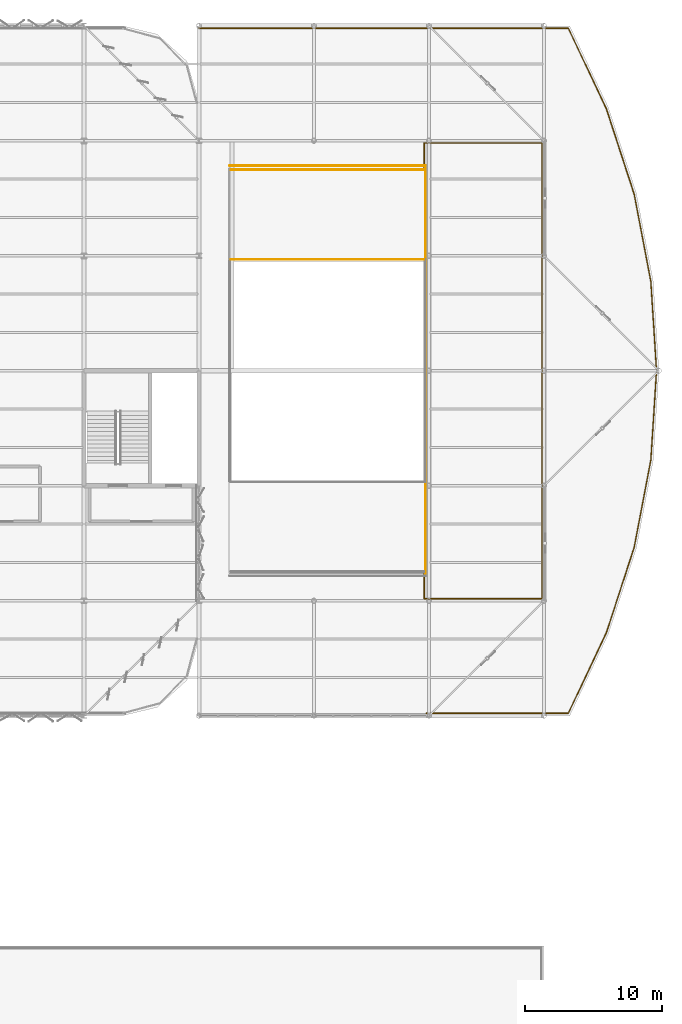
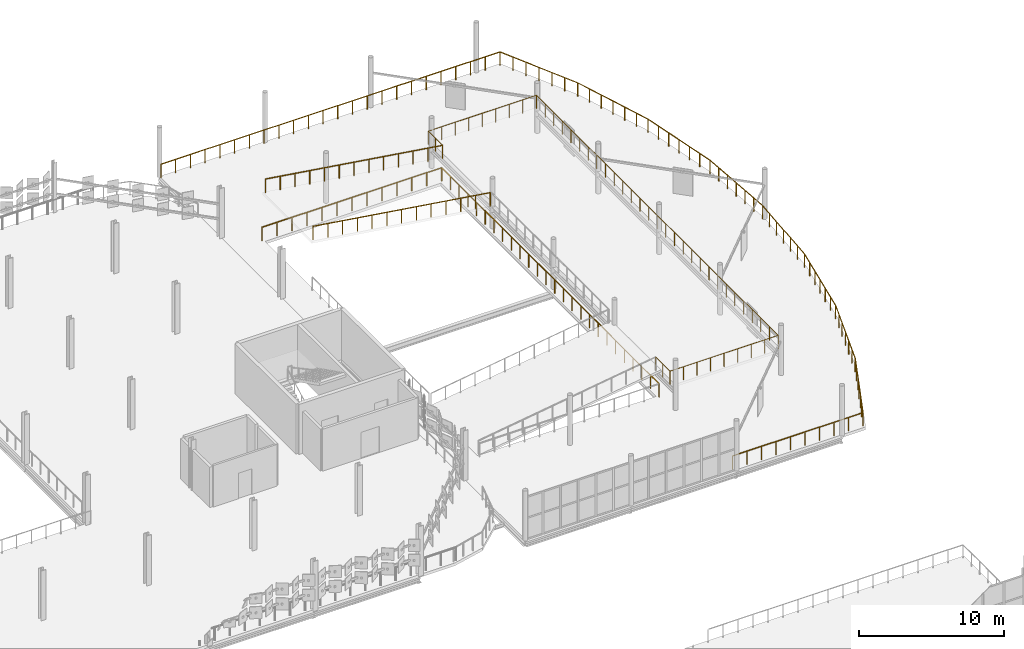
# One storey, part 183 of 184: 6 railings.
"""IFC4 building model written with IfcOpenShell, lengths in metres."""

from ifc_helpers import new_model, si_unit, direction, frame, origin, origin_2d, place, context, subcontext, project, spatial, circle, extrude, material, type_object, element, save


model = new_model("IFC4")

# Units and contexts
model_context = context("Model", 3, precision=1e-05, world=origin(), true_north=direction((0.0, 1.0)))
body_context = subcontext(model_context, "Body", "Model", "MODEL_VIEW")
ifc_project = project(units=[si_unit("LENGTHUNIT", "METRE"), si_unit("AREAUNIT", "SQUARE_METRE"), si_unit("VOLUMEUNIT", "CUBIC_METRE"), si_unit("PLANEANGLEUNIT", "RADIAN"), si_unit("MASSUNIT", "GRAM", prefix="KILO")], contexts=[model_context])

# Site, building, storey
site_placement = place(None, origin())
site = spatial("IfcSite", under=ifc_project, at=site_placement, CompositionType="ELEMENT")
building_placement = place(site_placement, origin())
building = spatial("IfcBuilding", under=site, at=building_placement, Name="Qalvenar Corner Mobility Hub", CompositionType="ELEMENT")
storey_placement = place(building_placement, frame((0.0, 0.0, 9.0)))
storey = spatial("IfcBuildingStorey", under=building, at=storey_placement, Name="L02", CompositionType="ELEMENT", Elevation=9.0)

# Railings
ifc_material = material(Name="Galvanised Steel Deck Edge Barrier", Category="steel")
railing_type = type_object("IfcRailingType", Name="RL-GUARD-115", PredefinedType="GUARDRAIL", material=ifc_material)
railing_1_placement = place(storey_placement, frame((159.25, 100.52001953125, 2.10009765625)))
element("IfcRailing", 1, at=railing_1_placement, inside=storey, type_object=railing_type, Name="Ramp Guardrail L02-L03-GR2", PredefinedType="GUARDRAIL", context=body_context, shape_type="SweptSolid", body=[
    extrude(circle(Radius=0.02392578125, at=origin_2d()), frame((0.0, 0.0, 1.1259765625), z_axis=(-0.98909182367, 0.0, 0.14730025237), x_axis=(0.0, -1.0, 0.0)), (0.0, 0.0, 1.0), 14.255615234375),
    extrude(circle(Radius=0.02099609375, at=origin_2d()), origin(), (0.0, 0.0, 1.0), 1.101806640625),
    extrude(circle(Radius=0.02099609375, at=origin_2d()), frame((-1.175048828125, 0.0, 0.175048828125)), (0.0, 0.0, 1.0), 1.101806640625),
    extrude(circle(Radius=0.02099609375, at=origin_2d()), frame((-2.35009765625, 0.0, 0.35009765625)), (0.0, 0.0, 1.0), 1.101806640625),
    extrude(circle(Radius=0.02099609375, at=origin_2d()), frame((-3.52490234375, 0.0, 0.52490234375)), (0.0, 0.0, 1.0), 1.101806640625),
    extrude(circle(Radius=0.02099609375, at=origin_2d()), frame((-4.699951171875, 0.0, 0.699951171875)), (0.0, 0.0, 1.0), 1.101806640625),
    extrude(circle(Radius=0.02099609375, at=origin_2d()), frame((-5.875, 0.0, 0.875)), (0.0, 0.0, 1.0), 1.101806640625),
    extrude(circle(Radius=0.02099609375, at=origin_2d()), frame((-7.050048828125, 0.0, 1.0498046875)), (0.0, 0.0, 1.0), 1.101806640625),
    extrude(circle(Radius=0.02099609375, at=origin_2d()), frame((-8.22509765625, 0.0, 1.224853515625)), (0.0, 0.0, 1.0), 1.101806640625),
    extrude(circle(Radius=0.02099609375, at=origin_2d()), frame((-9.400146484375, 0.0, 1.39990234375)), (0.0, 0.0, 1.0), 1.101806640625),
    extrude(circle(Radius=0.02099609375, at=origin_2d()), frame((-10.5751953125, 0.0, 1.574951171875)), (0.0, 0.0, 1.0), 1.101806640625),
    extrude(circle(Radius=0.02099609375, at=origin_2d()), frame((-11.75, 0.0, 1.75)), (0.0, 0.0, 1.0), 1.101806640625),
    extrude(circle(Radius=0.02099609375, at=origin_2d()), frame((-12.925048828125, 0.0, 1.9248046875)), (0.0, 0.0, 1.0), 1.101806640625),
    extrude(circle(Radius=0.02099609375, at=origin_2d()), frame((-14.10009765625, 0.0, 2.099853515625)), (0.0, 0.0, 1.0), 1.101806640625),
])
railing_2_placement = place(storey_placement, frame((159.25, 107.080078125, 2.10009765625)))
element("IfcRailing", 2, at=railing_2_placement, inside=storey, type_object=railing_type, Name="Ramp Guardrail L02-L03-GR4", PredefinedType="GUARDRAIL", context=body_context, shape_type="SweptSolid", body=[
    extrude(circle(Radius=0.02392578125, at=origin_2d()), frame((0.0, 0.0, 1.1259765625), z_axis=(-0.98909182367, 0.0, 0.14730025237), x_axis=(0.0, -1.0, 0.0)), (0.0, 0.0, 1.0), 14.255615234375),
    extrude(circle(Radius=0.02099609375, at=origin_2d()), origin(), (0.0, 0.0, 1.0), 1.101806640625),
    extrude(circle(Radius=0.02099609375, at=origin_2d()), frame((-1.175048828125, 0.0, 0.175048828125)), (0.0, 0.0, 1.0), 1.101806640625),
    extrude(circle(Radius=0.02099609375, at=origin_2d()), frame((-2.35009765625, 0.0, 0.35009765625)), (0.0, 0.0, 1.0), 1.101806640625),
    extrude(circle(Radius=0.02099609375, at=origin_2d()), frame((-3.52490234375, 0.0, 0.52490234375)), (0.0, 0.0, 1.0), 1.101806640625),
    extrude(circle(Radius=0.02099609375, at=origin_2d()), frame((-4.699951171875, 0.0, 0.699951171875)), (0.0, 0.0, 1.0), 1.101806640625),
    extrude(circle(Radius=0.02099609375, at=origin_2d()), frame((-5.875, 0.0, 0.875)), (0.0, 0.0, 1.0), 1.101806640625),
    extrude(circle(Radius=0.02099609375, at=origin_2d()), frame((-7.050048828125, 0.0, 1.0498046875)), (0.0, 0.0, 1.0), 1.101806640625),
    extrude(circle(Radius=0.02099609375, at=origin_2d()), frame((-8.22509765625, 0.0, 1.224853515625)), (0.0, 0.0, 1.0), 1.101806640625),
    extrude(circle(Radius=0.02099609375, at=origin_2d()), frame((-9.400146484375, 0.0, 1.39990234375)), (0.0, 0.0, 1.0), 1.101806640625),
    extrude(circle(Radius=0.02099609375, at=origin_2d()), frame((-10.5751953125, 0.0, 1.574951171875)), (0.0, 0.0, 1.0), 1.101806640625),
    extrude(circle(Radius=0.02099609375, at=origin_2d()), frame((-11.75, 0.0, 1.75)), (0.0, 0.0, 1.0), 1.101806640625),
    extrude(circle(Radius=0.02099609375, at=origin_2d()), frame((-12.925048828125, 0.0, 1.9248046875)), (0.0, 0.0, 1.0), 1.101806640625),
    extrude(circle(Radius=0.02099609375, at=origin_2d()), frame((-14.10009765625, 0.0, 2.099853515625)), (0.0, 0.0, 1.0), 1.101806640625),
])
railing_3_placement = place(storey_placement, frame((159.25, 77.719970703125, 2.10009765625)))
element("IfcRailing", 3, at=railing_3_placement, inside=storey, type_object=railing_type, Name="Ramp Guardrail L02-L03-GRL-OUT", PredefinedType="GUARDRAIL", context=body_context, shape_type="SweptSolid", body=[
    extrude(circle(Radius=0.02392578125, at=origin_2d()), frame((0.0, 0.0, 1.1259765625), z_axis=(0.0, -1.0, 0.0), x_axis=(1.0, 0.0, 0.0)), (0.0, 0.0, 1.0), 1.969970703125),
    extrude(circle(Radius=0.02392578125, at=origin_2d()), frame((0.0, -1.969970703125, 1.1259765625), z_axis=(1.0, 0.0, 0.0), x_axis=(0.0, 1.0, 0.0)), (0.0, 0.0, 1.0), 8.60009765625),
    extrude(circle(Radius=0.02392578125, at=origin_2d()), frame((8.60009765625, -1.969970703125, 1.1259765625), z_axis=(0.0, 1.0, 0.0), x_axis=(-1.0, 0.0, 0.0)), (0.0, 0.0, 1.0), 33.300048828125),
    extrude(circle(Radius=0.02392578125, at=origin_2d()), frame((8.60009765625, 31.330078125, 1.1259765625), z_axis=(-1.0, 0.0, 0.0), x_axis=(0.0, -1.0, 0.0)), (0.0, 0.0, 1.0), 8.60009765625),
    extrude(circle(Radius=0.02392578125, at=origin_2d()), frame((0.0, 31.330078125, 1.1259765625), z_axis=(0.0, -1.0, 0.0), x_axis=(1.0, 0.0, 0.0)), (0.0, 0.0, 1.0), 1.969970703125),
    extrude(circle(Radius=0.02099609375, at=origin_2d()), origin(), (0.0, 0.0, 1.0), 1.101806640625),
    extrude(circle(Radius=0.02099609375, at=origin_2d()), frame((0.0, -0.98486328125, 0.0)), (0.0, 0.0, 1.0), 1.101806640625),
    extrude(circle(Radius=0.02099609375, at=origin_2d()), frame((0.0, -1.969970703125, 0.0)), (0.0, 0.0, 1.0), 1.101806640625),
    extrude(circle(Radius=0.02099609375, at=origin_2d()), frame((1.074951171875, -1.969970703125, 0.0)), (0.0, 0.0, 1.0), 1.101806640625),
    extrude(circle(Radius=0.02099609375, at=origin_2d()), frame((2.14990234375, -1.969970703125, 0.0)), (0.0, 0.0, 1.0), 1.101806640625),
    extrude(circle(Radius=0.02099609375, at=origin_2d()), frame((3.22509765625, -1.969970703125, 0.0)), (0.0, 0.0, 1.0), 1.101806640625),
    extrude(circle(Radius=0.02099609375, at=origin_2d()), frame((4.300048828125, -1.969970703125, 0.0)), (0.0, 0.0, 1.0), 1.101806640625),
    extrude(circle(Radius=0.02099609375, at=origin_2d()), frame((5.375, -1.969970703125, 0.0)), (0.0, 0.0, 1.0), 1.101806640625),
    extrude(circle(Radius=0.02099609375, at=origin_2d()), frame((6.4501953125, -1.969970703125, 0.0)), (0.0, 0.0, 1.0), 1.101806640625),
    extrude(circle(Radius=0.02099609375, at=origin_2d()), frame((7.525146484375, -1.969970703125, 0.0)), (0.0, 0.0, 1.0), 1.101806640625),
    extrude(circle(Radius=0.02099609375, at=origin_2d()), frame((8.60009765625, -1.969970703125, 0.0)), (0.0, 0.0, 1.0), 1.101806640625),
    extrude(circle(Radius=0.02099609375, at=origin_2d()), frame((8.60009765625, -0.78076171875, 0.0)), (0.0, 0.0, 1.0), 1.101806640625),
    extrude(circle(Radius=0.02099609375, at=origin_2d()), frame((8.60009765625, 0.40869140625, 0.0)), (0.0, 0.0, 1.0), 1.101806640625),
    extrude(circle(Radius=0.02099609375, at=origin_2d()), frame((8.60009765625, 1.597900390625, 0.0)), (0.0, 0.0, 1.0), 1.101806640625),
    extrude(circle(Radius=0.02099609375, at=origin_2d()), frame((8.60009765625, 2.787109375, 0.0)), (0.0, 0.0, 1.0), 1.101806640625),
    extrude(circle(Radius=0.02099609375, at=origin_2d()), frame((8.60009765625, 3.9765625, 0.0)), (0.0, 0.0, 1.0), 1.101806640625),
    extrude(circle(Radius=0.02099609375, at=origin_2d()), frame((8.60009765625, 5.165771484375, 0.0)), (0.0, 0.0, 1.0), 1.101806640625),
    extrude(circle(Radius=0.02099609375, at=origin_2d()), frame((8.60009765625, 6.35498046875, 0.0)), (0.0, 0.0, 1.0), 1.101806640625),
    extrude(circle(Radius=0.02099609375, at=origin_2d()), frame((8.60009765625, 7.54443359375, 0.0)), (0.0, 0.0, 1.0), 1.101806640625),
    extrude(circle(Radius=0.02099609375, at=origin_2d()), frame((8.60009765625, 8.733642578125, 0.0)), (0.0, 0.0, 1.0), 1.101806640625),
    extrude(circle(Radius=0.02099609375, at=origin_2d()), frame((8.60009765625, 9.9228515625, 0.0)), (0.0, 0.0, 1.0), 1.101806640625),
    extrude(circle(Radius=0.02099609375, at=origin_2d()), frame((8.60009765625, 11.1123046875, 0.0)), (0.0, 0.0, 1.0), 1.101806640625),
    extrude(circle(Radius=0.02099609375, at=origin_2d()), frame((8.60009765625, 12.301513671875, 0.0)), (0.0, 0.0, 1.0), 1.101806640625),
    extrude(circle(Radius=0.02099609375, at=origin_2d()), frame((8.60009765625, 13.49072265625, 0.0)), (0.0, 0.0, 1.0), 1.101806640625),
    extrude(circle(Radius=0.02099609375, at=origin_2d()), frame((8.60009765625, 14.68017578125, 0.0)), (0.0, 0.0, 1.0), 1.101806640625),
    extrude(circle(Radius=0.02099609375, at=origin_2d()), frame((8.60009765625, 15.869384765625, 0.0)), (0.0, 0.0, 1.0), 1.101806640625),
    extrude(circle(Radius=0.02099609375, at=origin_2d()), frame((8.60009765625, 17.05859375, 0.0)), (0.0, 0.0, 1.0), 1.101806640625),
    extrude(circle(Radius=0.02099609375, at=origin_2d()), frame((8.60009765625, 18.247802734375, 0.0)), (0.0, 0.0, 1.0), 1.101806640625),
    extrude(circle(Radius=0.02099609375, at=origin_2d()), frame((8.60009765625, 19.437255859375, 0.0)), (0.0, 0.0, 1.0), 1.101806640625),
    extrude(circle(Radius=0.02099609375, at=origin_2d()), frame((8.60009765625, 20.62646484375, 0.0)), (0.0, 0.0, 1.0), 1.101806640625),
    extrude(circle(Radius=0.02099609375, at=origin_2d()), frame((8.60009765625, 21.815673828125, 0.0)), (0.0, 0.0, 1.0), 1.101806640625),
    extrude(circle(Radius=0.02099609375, at=origin_2d()), frame((8.60009765625, 23.005126953125, 0.0)), (0.0, 0.0, 1.0), 1.101806640625),
    extrude(circle(Radius=0.02099609375, at=origin_2d()), frame((8.60009765625, 24.1943359375, 0.0)), (0.0, 0.0, 1.0), 1.101806640625),
    extrude(circle(Radius=0.02099609375, at=origin_2d()), frame((8.60009765625, 25.383544921875, 0.0)), (0.0, 0.0, 1.0), 1.101806640625),
    extrude(circle(Radius=0.02099609375, at=origin_2d()), frame((8.60009765625, 26.572998046875, 0.0)), (0.0, 0.0, 1.0), 1.101806640625),
    extrude(circle(Radius=0.02099609375, at=origin_2d()), frame((8.60009765625, 27.76220703125, 0.0)), (0.0, 0.0, 1.0), 1.101806640625),
    extrude(circle(Radius=0.02099609375, at=origin_2d()), frame((8.60009765625, 28.951416015625, 0.0)), (0.0, 0.0, 1.0), 1.101806640625),
    extrude(circle(Radius=0.02099609375, at=origin_2d()), frame((8.60009765625, 30.140869140625, 0.0)), (0.0, 0.0, 1.0), 1.101806640625),
    extrude(circle(Radius=0.02099609375, at=origin_2d()), frame((8.60009765625, 31.330078125, 0.0)), (0.0, 0.0, 1.0), 1.101806640625),
    extrude(circle(Radius=0.02099609375, at=origin_2d()), frame((7.525146484375, 31.330078125, 0.0)), (0.0, 0.0, 1.0), 1.101806640625),
    extrude(circle(Radius=0.02099609375, at=origin_2d()), frame((6.4501953125, 31.330078125, 0.0)), (0.0, 0.0, 1.0), 1.101806640625),
    extrude(circle(Radius=0.02099609375, at=origin_2d()), frame((5.375, 31.330078125, 0.0)), (0.0, 0.0, 1.0), 1.101806640625),
    extrude(circle(Radius=0.02099609375, at=origin_2d()), frame((4.300048828125, 31.330078125, 0.0)), (0.0, 0.0, 1.0), 1.101806640625),
    extrude(circle(Radius=0.02099609375, at=origin_2d()), frame((3.22509765625, 31.330078125, 0.0)), (0.0, 0.0, 1.0), 1.101806640625),
    extrude(circle(Radius=0.02099609375, at=origin_2d()), frame((2.14990234375, 31.330078125, 0.0)), (0.0, 0.0, 1.0), 1.101806640625),
    extrude(circle(Radius=0.02099609375, at=origin_2d()), frame((1.074951171875, 31.330078125, 0.0)), (0.0, 0.0, 1.0), 1.101806640625),
    extrude(circle(Radius=0.02099609375, at=origin_2d()), frame((0.0, 31.330078125, 0.0)), (0.0, 0.0, 1.0), 1.101806640625),
    extrude(circle(Radius=0.02099609375, at=origin_2d()), frame((0.0, 30.34521484375, 0.0)), (0.0, 0.0, 1.0), 1.101806640625),
    extrude(circle(Radius=0.02099609375, at=origin_2d()), frame((0.0, 29.360107421875, 0.0)), (0.0, 0.0, 1.0), 1.101806640625),
])
railing_4_placement = place(storey_placement, frame((159.39990234375, 67.3798828125, 0.0)))
element("IfcRailing", 4, at=railing_4_placement, inside=storey, type_object=railing_type, Name="Rotunda Drum Perimeter Barrier L02", PredefinedType="GUARDRAIL", context=body_context, shape_type="SweptSolid", body=[
    extrude(circle(Radius=0.02392578125, at=origin_2d()), frame((0.0, 0.0, 1.1259765625), z_axis=(1.0, 0.0, 0.0), x_axis=(0.0, 1.0, 0.0)), (0.0, 0.0, 1.0), 10.379638671875),
    extrude(circle(Radius=0.02392578125, at=origin_2d()), frame((10.379638671875, 0.0, 1.1259765625), z_axis=(0.426753831434, 0.904367827466, 0.0), x_axis=(-0.904367827466, 0.426753831434, 0.0)), (0.0, 0.0, 1.0), 6.5234375),
    extrude(circle(Radius=0.02392578125, at=origin_2d()), frame((13.16357421875, 5.899658203125, 1.1259765625), z_axis=(0.309730839995, 0.950824277538, 0.0), x_axis=(-0.950824277538, 0.309730839995, 0.0)), (0.0, 0.0, 1.0), 6.5234375),
    extrude(circle(Radius=0.02392578125, at=origin_2d()), frame((15.18408203125, 12.102294921875, 1.1259765625), z_axis=(0.187839523494, 0.982199731935, 0.0), x_axis=(-0.982199731935, 0.187839523494, 0.0)), (0.0, 0.0, 1.0), 6.5234375),
    extrude(circle(Radius=0.02392578125, at=origin_2d()), frame((16.409423828125, 18.509521484375, 1.1259765625), z_axis=(0.062949118857, 0.998016737553, 0.0), x_axis=(-0.998016737553, 0.062949118857, 0.0)), (0.0, 0.0, 1.0), 6.5234375),
    extrude(circle(Radius=0.02392578125, at=origin_2d()), frame((16.820068359375, 25.02001953125, 1.1259765625), z_axis=(-0.062949118857, 0.998016737553, 0.0), x_axis=(-0.998016737553, -0.062949118857, 0.0)), (0.0, 0.0, 1.0), 6.5234375),
    extrude(circle(Radius=0.02392578125, at=origin_2d()), frame((16.409423828125, 31.530517578125, 1.1259765625), z_axis=(-0.187832618856, 0.982201052379, 0.0), x_axis=(-0.982201052379, -0.187832618856, 0.0)), (0.0, 0.0, 1.0), 6.523681640625),
    extrude(circle(Radius=0.02392578125, at=origin_2d()), frame((15.18408203125, 37.93798828125, 1.1259765625), z_axis=(-0.309730839995, 0.950824277538, 0.0), x_axis=(-0.950824277538, -0.309730839995, 0.0)), (0.0, 0.0, 1.0), 6.5234375),
    extrude(circle(Radius=0.02392578125, at=origin_2d()), frame((13.16357421875, 44.140625, 1.1259765625), z_axis=(-0.426768275647, 0.904361011378, 0.0), x_axis=(-0.904361011378, -0.426768275647, 0.0)), (0.0, 0.0, 1.0), 6.523193359375),
    extrude(circle(Radius=0.02392578125, at=origin_2d()), frame((10.379638671875, 50.0400390625, 1.1259765625), z_axis=(-1.0, 0.0, 0.0), x_axis=(0.0, -1.0, 0.0)), (0.0, 0.0, 1.0), 26.9794921875),
    extrude(circle(Radius=0.02099609375, at=origin_2d()), origin(), (0.0, 0.0, 1.0), 1.101806640625),
    extrude(circle(Radius=0.02099609375, at=origin_2d()), frame((1.1533203125, 0.0, 0.0)), (0.0, 0.0, 1.0), 1.101806640625),
    extrude(circle(Radius=0.02099609375, at=origin_2d()), frame((2.306640625, 0.0, 0.0)), (0.0, 0.0, 1.0), 1.101806640625),
    extrude(circle(Radius=0.02099609375, at=origin_2d()), frame((3.4599609375, 0.0, 0.0)), (0.0, 0.0, 1.0), 1.101806640625),
    extrude(circle(Radius=0.02099609375, at=origin_2d()), frame((4.61328125, 0.0, 0.0)), (0.0, 0.0, 1.0), 1.101806640625),
    extrude(circle(Radius=0.02099609375, at=origin_2d()), frame((5.766357421875, 0.0, 0.0)), (0.0, 0.0, 1.0), 1.101806640625),
    extrude(circle(Radius=0.02099609375, at=origin_2d()), frame((6.919677734375, 0.0, 0.0)), (0.0, 0.0, 1.0), 1.101806640625),
    extrude(circle(Radius=0.02099609375, at=origin_2d()), frame((8.072998046875, 0.0, 0.0)), (0.0, 0.0, 1.0), 1.101806640625),
    extrude(circle(Radius=0.02099609375, at=origin_2d()), frame((9.226318359375, 0.0, 0.0)), (0.0, 0.0, 1.0), 1.101806640625),
    extrude(circle(Radius=0.02099609375, at=origin_2d()), frame((10.379638671875, 0.0, 0.0)), (0.0, 0.0, 1.0), 1.101806640625),
    extrude(circle(Radius=0.02099609375, at=origin_2d()), frame((10.84375, 0.9833984375, 0.0)), (0.0, 0.0, 1.0), 1.101806640625),
    extrude(circle(Radius=0.02099609375, at=origin_2d()), frame((11.3076171875, 1.966552734375, 0.0)), (0.0, 0.0, 1.0), 1.101806640625),
    extrude(circle(Radius=0.02099609375, at=origin_2d()), frame((11.771484375, 2.94970703125, 0.0)), (0.0, 0.0, 1.0), 1.101806640625),
    extrude(circle(Radius=0.02099609375, at=origin_2d()), frame((12.235595703125, 3.93310546875, 0.0)), (0.0, 0.0, 1.0), 1.101806640625),
    extrude(circle(Radius=0.02099609375, at=origin_2d()), frame((12.69970703125, 4.91650390625, 0.0)), (0.0, 0.0, 1.0), 1.101806640625),
    extrude(circle(Radius=0.02099609375, at=origin_2d()), frame((13.16357421875, 5.899658203125, 0.0)), (0.0, 0.0, 1.0), 1.101806640625),
    extrude(circle(Radius=0.02099609375, at=origin_2d()), frame((13.500244140625, 6.933349609375, 0.0)), (0.0, 0.0, 1.0), 1.101806640625),
    extrude(circle(Radius=0.02099609375, at=origin_2d()), frame((13.837158203125, 7.96728515625, 0.0)), (0.0, 0.0, 1.0), 1.101806640625),
    extrude(circle(Radius=0.02099609375, at=origin_2d()), frame((14.173828125, 9.0009765625, 0.0)), (0.0, 0.0, 1.0), 1.101806640625),
    extrude(circle(Radius=0.02099609375, at=origin_2d()), frame((14.510498046875, 10.03466796875, 0.0)), (0.0, 0.0, 1.0), 1.101806640625),
    extrude(circle(Radius=0.02099609375, at=origin_2d()), frame((14.847412109375, 11.068603515625, 0.0)), (0.0, 0.0, 1.0), 1.101806640625),
    extrude(circle(Radius=0.02099609375, at=origin_2d()), frame((15.18408203125, 12.102294921875, 0.0)), (0.0, 0.0, 1.0), 1.101806640625),
    extrude(circle(Radius=0.02099609375, at=origin_2d()), frame((15.38818359375, 13.170166015625, 0.0)), (0.0, 0.0, 1.0), 1.101806640625),
    extrude(circle(Radius=0.02099609375, at=origin_2d()), frame((15.592529296875, 14.238037109375, 0.0)), (0.0, 0.0, 1.0), 1.101806640625),
    extrude(circle(Radius=0.02099609375, at=origin_2d()), frame((15.796875, 15.305908203125, 0.0)), (0.0, 0.0, 1.0), 1.101806640625),
    extrude(circle(Radius=0.02099609375, at=origin_2d()), frame((16.0009765625, 16.373779296875, 0.0)), (0.0, 0.0, 1.0), 1.101806640625),
    extrude(circle(Radius=0.02099609375, at=origin_2d()), frame((16.205078125, 17.441650390625, 0.0)), (0.0, 0.0, 1.0), 1.101806640625),
    extrude(circle(Radius=0.02099609375, at=origin_2d()), frame((16.409423828125, 18.509521484375, 0.0)), (0.0, 0.0, 1.0), 1.101806640625),
    extrude(circle(Radius=0.02099609375, at=origin_2d()), frame((16.477783203125, 19.5947265625, 0.0)), (0.0, 0.0, 1.0), 1.101806640625),
    extrude(circle(Radius=0.02099609375, at=origin_2d()), frame((16.54638671875, 20.6796875, 0.0)), (0.0, 0.0, 1.0), 1.101806640625),
    extrude(circle(Radius=0.02099609375, at=origin_2d()), frame((16.61474609375, 21.7646484375, 0.0)), (0.0, 0.0, 1.0), 1.101806640625),
    extrude(circle(Radius=0.02099609375, at=origin_2d()), frame((16.68310546875, 22.849853515625, 0.0)), (0.0, 0.0, 1.0), 1.101806640625),
    extrude(circle(Radius=0.02099609375, at=origin_2d()), frame((16.751708984375, 23.93505859375, 0.0)), (0.0, 0.0, 1.0), 1.101806640625),
    extrude(circle(Radius=0.02099609375, at=origin_2d()), frame((16.820068359375, 25.02001953125, 0.0)), (0.0, 0.0, 1.0), 1.101806640625),
    extrude(circle(Radius=0.02099609375, at=origin_2d()), frame((16.751708984375, 26.10498046875, 0.0)), (0.0, 0.0, 1.0), 1.101806640625),
    extrude(circle(Radius=0.02099609375, at=origin_2d()), frame((16.68310546875, 27.190185546875, 0.0)), (0.0, 0.0, 1.0), 1.101806640625),
    extrude(circle(Radius=0.02099609375, at=origin_2d()), frame((16.61474609375, 28.275390625, 0.0)), (0.0, 0.0, 1.0), 1.101806640625),
    extrude(circle(Radius=0.02099609375, at=origin_2d()), frame((16.54638671875, 29.3603515625, 0.0)), (0.0, 0.0, 1.0), 1.101806640625),
    extrude(circle(Radius=0.02099609375, at=origin_2d()), frame((16.477783203125, 30.4453125, 0.0)), (0.0, 0.0, 1.0), 1.101806640625),
    extrude(circle(Radius=0.02099609375, at=origin_2d()), frame((16.409423828125, 31.530517578125, 0.0)), (0.0, 0.0, 1.0), 1.101806640625),
    extrude(circle(Radius=0.02099609375, at=origin_2d()), frame((16.205078125, 32.598388671875, 0.0)), (0.0, 0.0, 1.0), 1.101806640625),
    extrude(circle(Radius=0.02099609375, at=origin_2d()), frame((16.0009765625, 33.666259765625, 0.0)), (0.0, 0.0, 1.0), 1.101806640625),
    extrude(circle(Radius=0.02099609375, at=origin_2d()), frame((15.796875, 34.734375, 0.0)), (0.0, 0.0, 1.0), 1.101806640625),
    extrude(circle(Radius=0.02099609375, at=origin_2d()), frame((15.592529296875, 35.80224609375, 0.0)), (0.0, 0.0, 1.0), 1.101806640625),
    extrude(circle(Radius=0.02099609375, at=origin_2d()), frame((15.38818359375, 36.8701171875, 0.0)), (0.0, 0.0, 1.0), 1.101806640625),
    extrude(circle(Radius=0.02099609375, at=origin_2d()), frame((15.18408203125, 37.93798828125, 0.0)), (0.0, 0.0, 1.0), 1.101806640625),
    extrude(circle(Radius=0.02099609375, at=origin_2d()), frame((14.847412109375, 38.9716796875, 0.0)), (0.0, 0.0, 1.0), 1.101806640625),
    extrude(circle(Radius=0.02099609375, at=origin_2d()), frame((14.510498046875, 40.005615234375, 0.0)), (0.0, 0.0, 1.0), 1.101806640625),
    extrude(circle(Radius=0.02099609375, at=origin_2d()), frame((14.173828125, 41.039306640625, 0.0)), (0.0, 0.0, 1.0), 1.101806640625),
    extrude(circle(Radius=0.02099609375, at=origin_2d()), frame((13.837158203125, 42.072998046875, 0.0)), (0.0, 0.0, 1.0), 1.101806640625),
    extrude(circle(Radius=0.02099609375, at=origin_2d()), frame((13.500244140625, 43.10693359375, 0.0)), (0.0, 0.0, 1.0), 1.101806640625),
    extrude(circle(Radius=0.02099609375, at=origin_2d()), frame((13.16357421875, 44.140625, 0.0)), (0.0, 0.0, 1.0), 1.101806640625),
    extrude(circle(Radius=0.02099609375, at=origin_2d()), frame((12.69970703125, 45.123779296875, 0.0)), (0.0, 0.0, 1.0), 1.101806640625),
    extrude(circle(Radius=0.02099609375, at=origin_2d()), frame((12.235595703125, 46.107177734375, 0.0)), (0.0, 0.0, 1.0), 1.101806640625),
    extrude(circle(Radius=0.02099609375, at=origin_2d()), frame((11.771484375, 47.09033203125, 0.0)), (0.0, 0.0, 1.0), 1.101806640625),
    extrude(circle(Radius=0.02099609375, at=origin_2d()), frame((11.3076171875, 48.073486328125, 0.0)), (0.0, 0.0, 1.0), 1.101806640625),
    extrude(circle(Radius=0.02099609375, at=origin_2d()), frame((10.84375, 49.056884765625, 0.0)), (0.0, 0.0, 1.0), 1.101806640625),
    extrude(circle(Radius=0.02099609375, at=origin_2d()), frame((10.379638671875, 50.0400390625, 0.0)), (0.0, 0.0, 1.0), 1.101806640625),
    extrude(circle(Radius=0.02099609375, at=origin_2d()), frame((9.20654296875, 50.0400390625, 0.0)), (0.0, 0.0, 1.0), 1.101806640625),
    extrude(circle(Radius=0.02099609375, at=origin_2d()), frame((8.03369140625, 50.0400390625, 0.0)), (0.0, 0.0, 1.0), 1.101806640625),
    extrude(circle(Radius=0.02099609375, at=origin_2d()), frame((6.860595703125, 50.0400390625, 0.0)), (0.0, 0.0, 1.0), 1.101806640625),
    extrude(circle(Radius=0.02099609375, at=origin_2d()), frame((5.6875, 50.0400390625, 0.0)), (0.0, 0.0, 1.0), 1.101806640625),
    extrude(circle(Radius=0.02099609375, at=origin_2d()), frame((4.5146484375, 50.0400390625, 0.0)), (0.0, 0.0, 1.0), 1.101806640625),
    extrude(circle(Radius=0.02099609375, at=origin_2d()), frame((3.341552734375, 50.0400390625, 0.0)), (0.0, 0.0, 1.0), 1.101806640625),
    extrude(circle(Radius=0.02099609375, at=origin_2d()), frame((2.16845703125, 50.0400390625, 0.0)), (0.0, 0.0, 1.0), 1.101806640625),
    extrude(circle(Radius=0.02099609375, at=origin_2d()), frame((0.995361328125, 50.0400390625, 0.0)), (0.0, 0.0, 1.0), 1.101806640625),
    extrude(circle(Radius=0.02099609375, at=origin_2d()), frame((-0.177490234375, 50.0400390625, 0.0)), (0.0, 0.0, 1.0), 1.101806640625),
    extrude(circle(Radius=0.02099609375, at=origin_2d()), frame((-1.3505859375, 50.0400390625, 0.0)), (0.0, 0.0, 1.0), 1.101806640625),
    extrude(circle(Radius=0.02099609375, at=origin_2d()), frame((-2.523681640625, 50.0400390625, 0.0)), (0.0, 0.0, 1.0), 1.101806640625),
    extrude(circle(Radius=0.02099609375, at=origin_2d()), frame((-3.696533203125, 50.0400390625, 0.0)), (0.0, 0.0, 1.0), 1.101806640625),
    extrude(circle(Radius=0.02099609375, at=origin_2d()), frame((-4.86962890625, 50.0400390625, 0.0)), (0.0, 0.0, 1.0), 1.101806640625),
    extrude(circle(Radius=0.02099609375, at=origin_2d()), frame((-6.042724609375, 50.0400390625, 0.0)), (0.0, 0.0, 1.0), 1.101806640625),
    extrude(circle(Radius=0.02099609375, at=origin_2d()), frame((-7.215576171875, 50.0400390625, 0.0)), (0.0, 0.0, 1.0), 1.101806640625),
    extrude(circle(Radius=0.02099609375, at=origin_2d()), frame((-8.388671875, 50.0400390625, 0.0)), (0.0, 0.0, 1.0), 1.101806640625),
    extrude(circle(Radius=0.02099609375, at=origin_2d()), frame((-9.561767578125, 50.0400390625, 0.0)), (0.0, 0.0, 1.0), 1.101806640625),
    extrude(circle(Radius=0.02099609375, at=origin_2d()), frame((-10.73486328125, 50.0400390625, 0.0)), (0.0, 0.0, 1.0), 1.101806640625),
    extrude(circle(Radius=0.02099609375, at=origin_2d()), frame((-11.90771484375, 50.0400390625, 0.0)), (0.0, 0.0, 1.0), 1.101806640625),
    extrude(circle(Radius=0.02099609375, at=origin_2d()), frame((-13.080810546875, 50.0400390625, 0.0)), (0.0, 0.0, 1.0), 1.101806640625),
    extrude(circle(Radius=0.02099609375, at=origin_2d()), frame((-14.25390625, 50.0400390625, 0.0)), (0.0, 0.0, 1.0), 1.101806640625),
    extrude(circle(Radius=0.02099609375, at=origin_2d()), frame((-15.4267578125, 50.0400390625, 0.0)), (0.0, 0.0, 1.0), 1.101806640625),
    extrude(circle(Radius=0.02099609375, at=origin_2d()), frame((-16.599853515625, 50.0400390625, 0.0)), (0.0, 0.0, 1.0), 1.101806640625),
])
railing_5_placement = place(storey_placement, frame((145.050048828125, 107.3798828125, 0.0)))
element("IfcRailing", 5, at=railing_5_placement, inside=storey, type_object=railing_type, Name="Ramp Well Guardrail North L02", PredefinedType="GUARDRAIL", context=body_context, shape_type="SweptSolid", body=[
    extrude(circle(Radius=0.02392578125, at=origin_2d()), frame((0.0, 0.0, 1.1259765625), z_axis=(1.0, 0.0, 0.0), x_axis=(0.0, 1.0, 0.0)), (0.0, 0.0, 1.0), 14.300048828125),
    extrude(circle(Radius=0.02099609375, at=origin_2d()), origin(), (0.0, 0.0, 1.0), 1.101806640625),
    extrude(circle(Radius=0.02099609375, at=origin_2d()), frame((1.191650390625, 0.0, 0.0)), (0.0, 0.0, 1.0), 1.101806640625),
    extrude(circle(Radius=0.02099609375, at=origin_2d()), frame((2.38330078125, 0.0, 0.0)), (0.0, 0.0, 1.0), 1.101806640625),
    extrude(circle(Radius=0.02099609375, at=origin_2d()), frame((3.574951171875, 0.0, 0.0)), (0.0, 0.0, 1.0), 1.101806640625),
    extrude(circle(Radius=0.02099609375, at=origin_2d()), frame((4.7666015625, 0.0, 0.0)), (0.0, 0.0, 1.0), 1.101806640625),
    extrude(circle(Radius=0.02099609375, at=origin_2d()), frame((5.958251953125, 0.0, 0.0)), (0.0, 0.0, 1.0), 1.101806640625),
    extrude(circle(Radius=0.02099609375, at=origin_2d()), frame((7.14990234375, 0.0, 0.0)), (0.0, 0.0, 1.0), 1.101806640625),
    extrude(circle(Radius=0.02099609375, at=origin_2d()), frame((8.341796875, 0.0, 0.0)), (0.0, 0.0, 1.0), 1.101806640625),
    extrude(circle(Radius=0.02099609375, at=origin_2d()), frame((9.533447265625, 0.0, 0.0)), (0.0, 0.0, 1.0), 1.101806640625),
    extrude(circle(Radius=0.02099609375, at=origin_2d()), frame((10.72509765625, 0.0, 0.0)), (0.0, 0.0, 1.0), 1.101806640625),
    extrude(circle(Radius=0.02099609375, at=origin_2d()), frame((11.916748046875, 0.0, 0.0)), (0.0, 0.0, 1.0), 1.101806640625),
    extrude(circle(Radius=0.02099609375, at=origin_2d()), frame((13.1083984375, 0.0, 0.0)), (0.0, 0.0, 1.0), 1.101806640625),
    extrude(circle(Radius=0.02099609375, at=origin_2d()), frame((14.300048828125, 0.0, 0.0)), (0.0, 0.0, 1.0), 1.101806640625),
])
railing_6_placement = place(storey_placement, frame((159.35009765625, 77.419921875, 0.0)))
element("IfcRailing", 6, at=railing_6_placement, inside=storey, type_object=railing_type, Name="Ramp Well Guardrail East Edge L02", PredefinedType="GUARDRAIL", context=body_context, shape_type="SweptSolid", body=[
    extrude(circle(Radius=0.02392578125, at=origin_2d()), frame((0.0, 0.0, 1.1259765625), z_axis=(0.0, 1.0, 0.0), x_axis=(-1.0, 0.0, 0.0)), (0.0, 0.0, 1.0), 29.9599609375),
    extrude(circle(Radius=0.02099609375, at=origin_2d()), origin(), (0.0, 0.0, 1.0), 1.101806640625),
    extrude(circle(Radius=0.02099609375, at=origin_2d()), frame((0.0, 1.198486328125, 0.0)), (0.0, 0.0, 1.0), 1.101806640625),
    extrude(circle(Radius=0.02099609375, at=origin_2d()), frame((0.0, 2.396728515625, 0.0)), (0.0, 0.0, 1.0), 1.101806640625),
    extrude(circle(Radius=0.02099609375, at=origin_2d()), frame((0.0, 3.59521484375, 0.0)), (0.0, 0.0, 1.0), 1.101806640625),
    extrude(circle(Radius=0.02099609375, at=origin_2d()), frame((0.0, 4.793701171875, 0.0)), (0.0, 0.0, 1.0), 1.101806640625),
    extrude(circle(Radius=0.02099609375, at=origin_2d()), frame((0.0, 5.991943359375, 0.0)), (0.0, 0.0, 1.0), 1.101806640625),
    extrude(circle(Radius=0.02099609375, at=origin_2d()), frame((0.0, 7.1904296875, 0.0)), (0.0, 0.0, 1.0), 1.101806640625),
    extrude(circle(Radius=0.02099609375, at=origin_2d()), frame((0.0, 8.388671875, 0.0)), (0.0, 0.0, 1.0), 1.101806640625),
    extrude(circle(Radius=0.02099609375, at=origin_2d()), frame((0.0, 9.587158203125, 0.0)), (0.0, 0.0, 1.0), 1.101806640625),
    extrude(circle(Radius=0.02099609375, at=origin_2d()), frame((0.0, 10.78564453125, 0.0)), (0.0, 0.0, 1.0), 1.101806640625),
    extrude(circle(Radius=0.02099609375, at=origin_2d()), frame((0.0, 11.98388671875, 0.0)), (0.0, 0.0, 1.0), 1.101806640625),
    extrude(circle(Radius=0.02099609375, at=origin_2d()), frame((0.0, 13.182373046875, 0.0)), (0.0, 0.0, 1.0), 1.101806640625),
    extrude(circle(Radius=0.02099609375, at=origin_2d()), frame((0.0, 14.380859375, 0.0)), (0.0, 0.0, 1.0), 1.101806640625),
    extrude(circle(Radius=0.02099609375, at=origin_2d()), frame((0.0, 15.5791015625, 0.0)), (0.0, 0.0, 1.0), 1.101806640625),
    extrude(circle(Radius=0.02099609375, at=origin_2d()), frame((0.0, 16.777587890625, 0.0)), (0.0, 0.0, 1.0), 1.101806640625),
    extrude(circle(Radius=0.02099609375, at=origin_2d()), frame((0.0, 17.97607421875, 0.0)), (0.0, 0.0, 1.0), 1.101806640625),
    extrude(circle(Radius=0.02099609375, at=origin_2d()), frame((0.0, 19.17431640625, 0.0)), (0.0, 0.0, 1.0), 1.101806640625),
    extrude(circle(Radius=0.02099609375, at=origin_2d()), frame((0.0, 20.372802734375, 0.0)), (0.0, 0.0, 1.0), 1.101806640625),
    extrude(circle(Radius=0.02099609375, at=origin_2d()), frame((0.0, 21.5712890625, 0.0)), (0.0, 0.0, 1.0), 1.101806640625),
    extrude(circle(Radius=0.02099609375, at=origin_2d()), frame((0.0, 22.76953125, 0.0)), (0.0, 0.0, 1.0), 1.101806640625),
    extrude(circle(Radius=0.02099609375, at=origin_2d()), frame((0.0, 23.968017578125, 0.0)), (0.0, 0.0, 1.0), 1.101806640625),
    extrude(circle(Radius=0.02099609375, at=origin_2d()), frame((0.0, 25.166259765625, 0.0)), (0.0, 0.0, 1.0), 1.101806640625),
    extrude(circle(Radius=0.02099609375, at=origin_2d()), frame((0.0, 26.36474609375, 0.0)), (0.0, 0.0, 1.0), 1.101806640625),
    extrude(circle(Radius=0.02099609375, at=origin_2d()), frame((0.0, 27.563232421875, 0.0)), (0.0, 0.0, 1.0), 1.101806640625),
    extrude(circle(Radius=0.02099609375, at=origin_2d()), frame((0.0, 28.761474609375, 0.0)), (0.0, 0.0, 1.0), 1.101806640625),
    extrude(circle(Radius=0.02099609375, at=origin_2d()), frame((0.0, 29.9599609375, 0.0)), (0.0, 0.0, 1.0), 1.101806640625),
])

save(model, "model.ifc")
